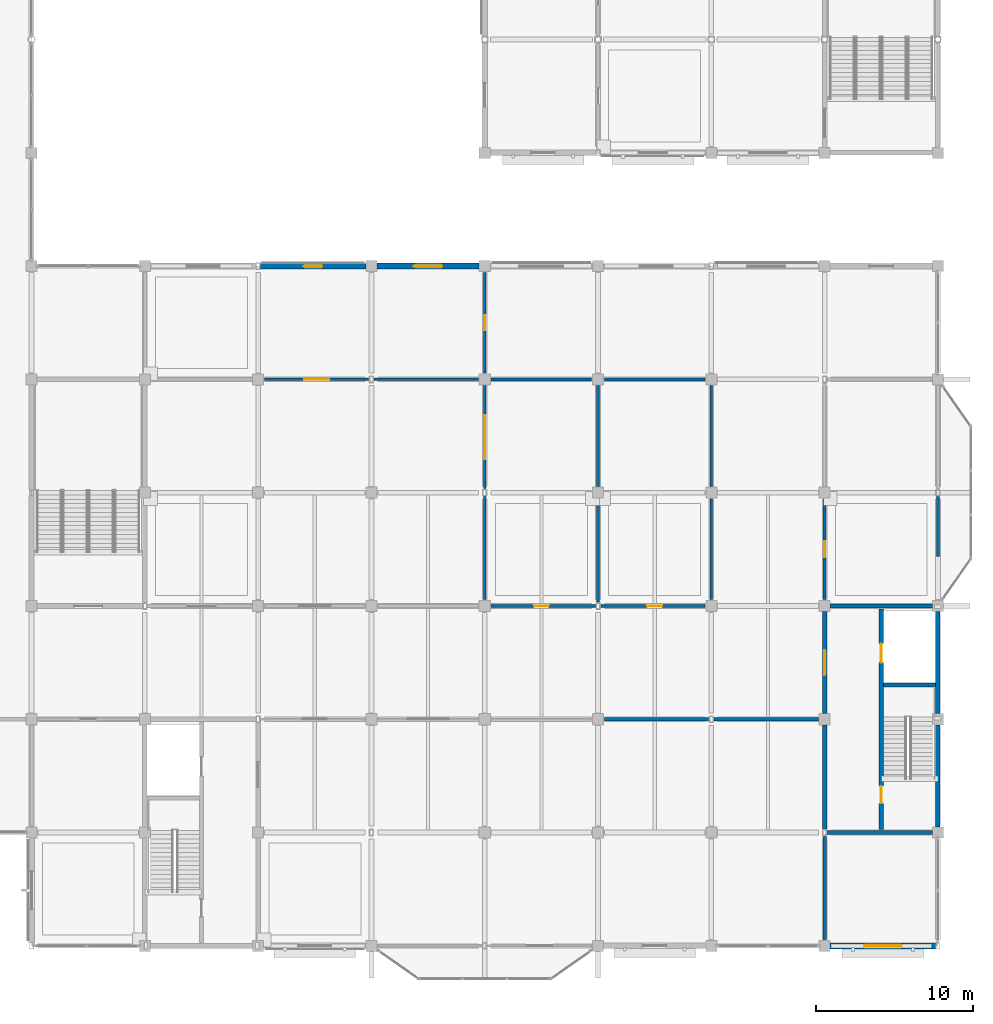
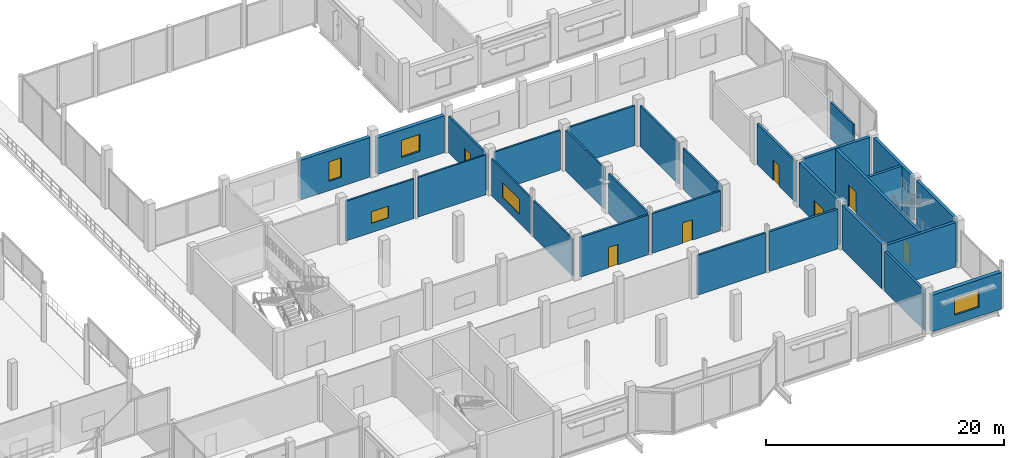
# One storey, part 96 of 120: 29 walls, 7 doors, 5 windows, 12 openings.
"""IFC4 building model written with IfcOpenShell, lengths in metres."""

from ifc_helpers import new_model, si_unit, direction, frame, frame_2d, origin, place, context, subcontext, project, spatial, rectangle, extrude, material, layer, layer_set, type_object, element, fill, save


model = new_model("IFC4")

# Units and contexts
model_context = context("Model", 3, precision=1e-05, world=origin(), true_north=direction((0.0, 1.0)))
body_context = subcontext(model_context, "Body", "Model", "MODEL_VIEW")
ifc_project = project(units=[si_unit("LENGTHUNIT", "METRE"), si_unit("AREAUNIT", "SQUARE_METRE"), si_unit("VOLUMEUNIT", "CUBIC_METRE"), si_unit("PLANEANGLEUNIT", "RADIAN"), si_unit("MASSUNIT", "GRAM", prefix="KILO")], contexts=[model_context])

# Site, building, storey
site_placement = place(None, origin())
site = spatial("IfcSite", under=ifc_project, at=site_placement, CompositionType="ELEMENT")
building_placement = place(site_placement, origin())
building = spatial("IfcBuilding", under=site, at=building_placement, Name="Vesperath Aquatics Centre", CompositionType="ELEMENT")
storey_placement = place(building_placement, frame((0.0, 0.0, 10.199951171875)))
storey = spatial("IfcBuildingStorey", under=building, at=storey_placement, Name="L02", CompositionType="ELEMENT", Elevation=10.199951171875)

# Wall, opening, window
ifc_material_1 = material(Name="Red-terracotta brick insulated cavity wall", Category="masonry")
ifc_layer_1 = layer(ifc_material_1, 0.3798828125)
ifc_layer_set_1 = layer_set([ifc_layer_1], Name="Red-terracotta brick insulated cavity wall")
wall_type_1 = type_object("IfcWallType", Name="WL-EW02", PredefinedType="SOLIDWALL", material=ifc_layer_set_1)
wall_1_placement = place(storey_placement, frame((165.949951171875, 0.0, 0.0), z_axis=(0.0, 0.0, 1.0), x_axis=(1.0, 0.0, 0.0)))
wall_1 = element("IfcWall", 1, at=wall_1_placement, inside=storey, type_object=wall_type_1, Name="Exterior Wall EW02 L02_S_23_00", PredefinedType="SOLIDWALL", context=body_context, shape_type="SweptSolid", body=[
    extrude(rectangle(XDim=6.72509765625, YDim=0.3798828125, at=frame_2d((3.362548828125, 0.0))), origin(), (0.0, 0.0, 1.0), 3.760009765625),
])
opening_1_placement = place(wall_1_placement, frame((2.1630859375, 0.0, 0.949951171875)))
opening_1 = element("IfcOpeningElement", 2, at=opening_1_placement, cuts=wall_1, Name="Opening W10", PredefinedType="OPENING", context=body_context, shape_type="SweptSolid", body=[
    extrude(rectangle(XDim=2.39990234375, YDim=1.75, at=frame_2d((1.199951171875, 0.875))), frame((0.0, 0.204833984375, 0.0), z_axis=(0.0, -1.0, 0.0), x_axis=(1.0, 0.0, 0.0)), (0.0, 0.0, 1.0), 0.40966796875),
])
ifc_material_2 = material(Name="Thermally broken aluminium triple-glazed window", Category="aluminium")
window_type_1 = type_object("IfcWindowType", Name="WN-W10", PartitioningType="SINGLE_PANEL", PredefinedType="WINDOW", material=ifc_material_2)
window_1_placement = place(opening_1_placement, origin())
window_1 = element("IfcWindow", 3, at=window_1_placement, inside=storey, type_object=window_type_1, Name="Deep-Reveal Casement Window W10 L02_S_23_00", OverallHeight=1.75, OverallWidth=2.39990234375, PartitioningType="SINGLE_PANEL", PredefinedType="WINDOW", context=body_context, shape_type="SweptSolid", body=[
    extrude(rectangle(XDim=2.39990234375, YDim=1.75, at=frame_2d((1.199951171875, 0.875))), frame((0.0, 0.030029296875, 0.0), z_axis=(0.0, -1.0, 0.0), x_axis=(1.0, 0.0, 0.0)), (0.0, 0.0, 1.0), 0.06005859375),
])
fill(opening_1, window_1)

wall_2_placement = place(storey_placement, frame((137.14990234375, 43.199951171875, 0.0), z_axis=(0.0, 0.0, 1.0), x_axis=(1.0, 0.0, 0.0)))
wall_2 = element("IfcWall", 4, at=wall_2_placement, inside=storey, type_object=wall_type_1, Name="Exterior Wall EW02 L02_N_19_06", PredefinedType="SOLIDWALL", context=body_context, shape_type="SweptSolid", body=[
    extrude(rectangle(XDim=6.5, YDim=0.3798828125, at=frame_2d((3.25, 0.0))), origin(), (0.0, 0.0, 1.0), 3.760009765625),
])
opening_2_placement = place(wall_2_placement, frame((2.35009765625, 0.0, 0.949951171875)))
opening_2 = element("IfcOpeningElement", 5, at=opening_2_placement, cuts=wall_2, Name="Opening W12", PredefinedType="OPENING", context=body_context, shape_type="SweptSolid", body=[
    extrude(rectangle(XDim=1.800048828125, YDim=1.75, at=frame_2d((0.89990234375, 0.875))), frame((0.0, 0.204833984375, 0.0), z_axis=(0.0, -1.0, 0.0), x_axis=(1.0, 0.0, 0.0)), (0.0, 0.0, 1.0), 0.40966796875),
])
window_type_2 = type_object("IfcWindowType", Name="WN-W12", PartitioningType="SINGLE_PANEL", PredefinedType="WINDOW", material=ifc_material_2)
window_2_placement = place(opening_2_placement, origin())
window_2 = element("IfcWindow", 6, at=window_2_placement, inside=storey, type_object=window_type_2, Name="Deep-Reveal Casement Window W12 L02_N_19_06", OverallHeight=1.75, OverallWidth=1.800048828125, PartitioningType="SINGLE_PANEL", PredefinedType="WINDOW", context=body_context, shape_type="SweptSolid", body=[
    extrude(rectangle(XDim=1.800048828125, YDim=1.75, at=frame_2d((0.89990234375, 0.875))), frame((0.0, 0.030029296875, 0.0), z_axis=(0.0, -1.0, 0.0), x_axis=(1.0, 0.0, 0.0)), (0.0, 0.0, 1.0), 0.06005859375),
])
fill(opening_2, window_2)

ifc_material_3 = material(Name="Glazed majolica and brick insulated cavity wall", Category="masonry")
ifc_layer_2 = layer(ifc_material_3, 0.360107421875)
ifc_layer_set_2 = layer_set([ifc_layer_2], Name="Glazed majolica and brick insulated cavity wall")
wall_type_2 = type_object("IfcWallType", Name="WL-EW03", PredefinedType="SOLIDWALL", material=ifc_layer_set_2)
wall_3_placement = place(storey_placement, frame((129.72509765625, 43.199951171875, 0.0), z_axis=(0.0, 0.0, 1.0), x_axis=(1.0, 0.0, 0.0)))
wall_3 = element("IfcWall", 7, at=wall_3_placement, inside=storey, type_object=wall_type_2, Name="Exterior Wall EW03 L02_N_18_06", PredefinedType="SOLIDWALL", context=body_context, shape_type="SweptSolid", body=[
    extrude(rectangle(XDim=6.724853515625, YDim=0.360107421875, at=frame_2d((3.3623046875, 0.0))), origin(), (0.0, 0.0, 1.0), 4.072021484375),
])
opening_3_placement = place(wall_3_placement, frame((2.761962890625, 0.0, 0.949951171875)))
opening_3 = element("IfcOpeningElement", 8, at=opening_3_placement, cuts=wall_3, Name="Opening W09", PredefinedType="OPENING", context=body_context, shape_type="SweptSolid", body=[
    extrude(rectangle(XDim=1.199951171875, YDim=2.0, at=frame_2d((0.60009765625, 1.0))), frame((0.0, 0.19482421875, 0.0), z_axis=(0.0, -1.0, 0.0), x_axis=(1.0, 0.0, 0.0)), (0.0, 0.0, 1.0), 0.389892578125),
])
window_type_3 = type_object("IfcWindowType", Name="WN-W09", PartitioningType="SINGLE_PANEL", PredefinedType="WINDOW", material=ifc_material_2)
window_3_placement = place(opening_3_placement, origin())
window_3 = element("IfcWindow", 9, at=window_3_placement, inside=storey, type_object=window_type_3, Name="Deep-Reveal Casement Window W09 L02_N_18_06", OverallHeight=2.0, OverallWidth=1.199951171875, PartitioningType="SINGLE_PANEL", PredefinedType="WINDOW", context=body_context, shape_type="SweptSolid", body=[
    extrude(rectangle(XDim=1.199951171875, YDim=2.0, at=frame_2d((0.60009765625, 1.0))), frame((0.0, 0.030029296875, 0.0), z_axis=(0.0, -1.0, 0.0), x_axis=(1.0, 0.0, 0.0)), (0.0, 0.0, 1.0), 0.06005859375),
])
fill(opening_3, window_3)

# Walls
ifc_material_4 = material(Name="Autoclaved aerated masonry blockwork", Category="masonry")
ifc_layer_3 = layer(ifc_material_4, 0.22998046875)
ifc_layer_set_3 = layer_set([ifc_layer_3], Name="Autoclaved aerated masonry blockwork")
wall_type_3 = type_object("IfcWallType", Name="WL-FW01", PredefinedType="SOLIDWALL", material=ifc_layer_set_3)
wall_4_placement = place(storey_placement, frame((158.574951171875, 14.39990234375, 0.0), z_axis=(0.0, 0.0, 1.0), x_axis=(1.0, 0.0, 0.0)))
element("IfcWall", 10, at=wall_4_placement, inside=storey, type_object=wall_type_3, Name="Interior Partition FW01 L02_WEIGHTS-N5", PredefinedType="SOLIDWALL", context=body_context, shape_type="SweptSolid", body=[
    extrude(rectangle(XDim=6.625, YDim=0.22998046875, at=frame_2d((3.3125, 0.0))), origin(), (0.0, 0.0, 1.0), 4.072021484375),
])
ifc_material_5 = material(Name="Masonry fire compartment wall", Category="masonry")
ifc_layer_4 = layer(ifc_material_5, 0.219970703125)
ifc_layer_set_4 = layer_set([ifc_layer_4], Name="Masonry fire compartment wall")
wall_type_4 = type_object("IfcWallType", Name="WL-FW02", PredefinedType="SOLIDWALL", material=ifc_layer_set_4)
wall_5_placement = place(storey_placement, frame((165.60009765625, 0.39990234375, 0.0), z_axis=(0.0, 0.0, 1.0), x_axis=(0.0, 1.0, 0.0)))
element("IfcWall", 11, at=wall_5_placement, inside=storey, type_object=wall_type_4, Name="Interior Partition FW02 L02_WEIGHTS-E1", PredefinedType="SOLIDWALL", context=body_context, shape_type="SweptSolid", body=[
    extrude(rectangle(XDim=6.550048828125, YDim=0.219970703125, at=frame_2d((3.27490234375, 0.0))), origin(), (0.0, 0.0, 1.0), 4.072021484375),
])

# Wall, opening, door
ifc_material_6 = material(Name="Wet-village masonry block wall", Category="masonry")
ifc_layer_5 = layer(ifc_material_6, 0.199951171875)
ifc_layer_set_5 = layer_set([ifc_layer_5], Name="Wet-village masonry block wall")
wall_type_5 = type_object("IfcWallType", Name="WL-FW03", PredefinedType="SOLIDWALL", material=ifc_layer_set_5)
wall_6_placement = place(storey_placement, frame((144.39990234375, 21.60009765625, 0.0), z_axis=(0.0, 0.0, 1.0), x_axis=(1.0, 0.0, 0.0)))
wall_6 = element("IfcWall", 12, at=wall_6_placement, inside=storey, type_object=wall_type_5, Name="Interior Partition FW03 L02_MWC-S1", PredefinedType="SOLIDWALL", context=body_context, shape_type="SweptSolid", body=[
    extrude(rectangle(XDim=6.625, YDim=0.199951171875, at=frame_2d((3.3125, 0.0))), origin(), (0.0, 0.0, 1.0), 4.072021484375),
])
opening_4_placement = place(wall_6_placement, frame((2.739990234375, 0.0, 0.0)))
opening_4 = element("IfcOpeningElement", 13, at=opening_4_placement, cuts=wall_6, Name="Opening D08", PredefinedType="OPENING", context=body_context, shape_type="SweptSolid", body=[
    extrude(rectangle(XDim=0.919921875, YDim=2.10009765625, at=frame_2d((0.4599609375, 1.050048828125))), frame((0.0, 0.11474609375, 0.0), z_axis=(0.0, -1.0, 0.0), x_axis=(1.0, 0.0, 0.0)), (0.0, 0.0, 1.0), 0.229736328125),
])
ifc_material_7 = material(Name="Moisture-resistant HPL washroom door", Category="wood")
door_type_1 = type_object("IfcDoorType", Name="DR-WC03", OperationType="NOTDEFINED", PredefinedType="DOOR", material=ifc_material_7)
door_1_placement = place(opening_4_placement, origin())
door_1 = element("IfcDoor", 14, at=door_1_placement, inside=storey, type_object=door_type_1, Name="Gymnasium Male WC and Showers L02 Door D08", OperationType="SINGLE_SWING_LEFT", OverallHeight=2.10009765625, OverallWidth=0.919921875, PredefinedType="DOOR", context=body_context, shape_type="SweptSolid", body=[
    extrude(rectangle(XDim=0.919921875, YDim=2.10009765625, at=frame_2d((0.4599609375, 1.050048828125))), frame((0.0, 0.02490234375, 0.0), z_axis=(0.0, -1.0, 0.0), x_axis=(1.0, 0.0, 0.0)), (0.0, 0.0, 1.0), 0.050048828125),
])
fill(opening_4, door_1)

wall_7_placement = place(storey_placement, frame((151.375, 21.60009765625, 0.0), z_axis=(0.0, 0.0, 1.0), x_axis=(1.0, 0.0, 0.0)))
wall_7 = element("IfcWall", 15, at=wall_7_placement, inside=storey, type_object=wall_type_5, Name="Interior Partition FW03 L02_FWC-S1", PredefinedType="SOLIDWALL", context=body_context, shape_type="SweptSolid", body=[
    extrude(rectangle(XDim=6.625, YDim=0.199951171875, at=frame_2d((3.3125, 0.0))), origin(), (0.0, 0.0, 1.0), 4.072021484375),
])
opening_5_placement = place(wall_7_placement, frame((2.949951171875, 0.0, 0.0)))
opening_5 = element("IfcOpeningElement", 16, at=opening_5_placement, cuts=wall_7, Name="Opening D07", PredefinedType="OPENING", context=body_context, shape_type="SweptSolid", body=[
    extrude(rectangle(XDim=0.949951171875, YDim=2.10009765625, at=frame_2d((0.47509765625, 1.050048828125))), frame((0.0, 0.11474609375, 0.0), z_axis=(0.0, -1.0, 0.0), x_axis=(1.0, 0.0, 0.0)), (0.0, 0.0, 1.0), 0.229736328125),
])
ifc_material_8 = material(Name="Moisture-resistant HPL sanitary door", Category="wood")
door_type_2 = type_object("IfcDoorType", Name="DR-WC02", OperationType="NOTDEFINED", PredefinedType="DOOR", material=ifc_material_8)
door_2_placement = place(opening_5_placement, origin())
door_2 = element("IfcDoor", 17, at=door_2_placement, inside=storey, type_object=door_type_2, Name="Gymnasium Female WC and Showers L02 Door D07", OperationType="SINGLE_SWING_RIGHT", OverallHeight=2.10009765625, OverallWidth=0.949951171875, PredefinedType="DOOR", context=body_context, shape_type="SweptSolid", body=[
    extrude(rectangle(XDim=0.949951171875, YDim=2.10009765625, at=frame_2d((0.47509765625, 1.050048828125))), frame((0.0, 0.02490234375, 0.0), z_axis=(0.0, -1.0, 0.0), x_axis=(1.0, 0.0, 0.0)), (0.0, 0.0, 1.0), 0.050048828125),
])
fill(opening_5, door_2)

wall_8_placement = place(storey_placement, frame((165.60009765625, 22.0, 0.0), z_axis=(0.0, 0.0, 1.0), x_axis=(0.0, 1.0, 0.0)))
wall_8 = element("IfcWall", 18, at=wall_8_placement, inside=storey, type_object=wall_type_5, Name="Interior Partition FW03 L02_AWC-W1", PredefinedType="SOLIDWALL", context=body_context, shape_type="SweptSolid", body=[
    extrude(rectangle(XDim=6.39990234375, YDim=0.199951171875, at=frame_2d((3.199951171875, 0.0))), origin(), (0.0, 0.0, 1.0), 4.170166015625),
])
opening_6_placement = place(wall_8_placement, frame((2.699951171875, 0.0, 0.0)))
opening_6 = element("IfcOpeningElement", 19, at=opening_6_placement, cuts=wall_8, Name="Opening D06", PredefinedType="OPENING", context=body_context, shape_type="SweptSolid", body=[
    extrude(rectangle(XDim=1.0, YDim=2.10009765625, at=frame_2d((0.5, 1.050048828125))), frame((0.0, 0.11474609375, 0.0), z_axis=(0.0, -1.0, 0.0), x_axis=(1.0, 0.0, 0.0)), (0.0, 0.0, 1.0), 0.229736328125),
])
ifc_material_9 = material(Name="Moisture-resistant HPL accessible toilet door", Category="wood")
door_type_3 = type_object("IfcDoorType", Name="DR-WC01", OperationType="NOTDEFINED", PredefinedType="DOOR", material=ifc_material_9)
door_3_placement = place(opening_6_placement, frame((1.0, 0.0, 0.0), z_axis=(0.0, 0.0, 1.0), x_axis=(-1.0, 0.0, 0.0)))
door_3 = element("IfcDoor", 20, at=door_3_placement, inside=storey, type_object=door_type_3, Name="Accessible WC L02 Door D06", OperationType="SINGLE_SWING_LEFT", OverallHeight=2.10009765625, OverallWidth=1.0, PredefinedType="DOOR", context=body_context, shape_type="SweptSolid", body=[
    extrude(rectangle(XDim=1.0, YDim=2.10009765625, at=frame_2d((0.5, 1.050048828125))), frame((0.0, 0.02490234375, 0.0), z_axis=(0.0, -1.0, 0.0), x_axis=(1.0, 0.0, 0.0)), (0.0, 0.0, 1.0), 0.050048828125),
])
fill(opening_6, door_3)

# Walls
ifc_material_10 = material(Name="Moisture-resistant tiled wet partition", Category="gypsum")
ifc_layer_6 = layer(ifc_material_10, 0.175048828125)
ifc_layer_set_6 = layer_set([ifc_layer_6], Name="Moisture-resistant tiled wet partition")
wall_type_6 = type_object("IfcWallType", Name="WL-IW02", PredefinedType="PARTITIONING", material=ifc_layer_set_6)
wall_9_placement = place(storey_placement, frame((144.39990234375, 36.0, 0.0), z_axis=(0.0, 0.0, 1.0), x_axis=(1.0, 0.0, 0.0)))
element("IfcWall", 21, at=wall_9_placement, inside=storey, type_object=wall_type_6, Name="Interior Partition IW02 L02_MWC-N1", PredefinedType="PARTITIONING", context=body_context, shape_type="SweptSolid", body=[
    extrude(rectangle(XDim=6.400146484375, YDim=0.175048828125, at=frame_2d((3.2001953125, 0.0))), origin(), (0.0, 0.0, 1.0), 4.072021484375),
])
wall_10_placement = place(storey_placement, frame((151.199951171875, 21.85009765625, 0.0), z_axis=(0.0, 0.0, 1.0), x_axis=(0.0, 1.0, 0.0)))
element("IfcWall", 22, at=wall_10_placement, inside=storey, type_object=wall_type_6, Name="Interior Partition IW02 L02_MWC-E1", PredefinedType="PARTITIONING", context=body_context, shape_type="SweptSolid", body=[
    extrude(rectangle(XDim=6.5498046875, YDim=0.175048828125, at=frame_2d((3.27490234375, 0.0))), origin(), (0.0, 0.0, 1.0), 4.072021484375),
])
wall_11_placement = place(storey_placement, frame((151.199951171875, 29.199951171875, 0.0), z_axis=(0.0, 0.0, 1.0), x_axis=(0.0, 1.0, 0.0)))
element("IfcWall", 23, at=wall_11_placement, inside=storey, type_object=wall_type_6, Name="Interior Partition IW02 L02_MWC-E2", PredefinedType="PARTITIONING", context=body_context, shape_type="SweptSolid", body=[
    extrude(rectangle(XDim=6.400146484375, YDim=0.175048828125, at=frame_2d((3.2001953125, 0.0))), origin(), (0.0, 0.0, 1.0), 4.170166015625),
])
wall_12_placement = place(storey_placement, frame((151.60009765625, 36.0, 0.0), z_axis=(0.0, 0.0, 1.0), x_axis=(1.0, 0.0, 0.0)))
element("IfcWall", 24, at=wall_12_placement, inside=storey, type_object=wall_type_6, Name="Interior Partition IW02 L02_FWC-N1", PredefinedType="PARTITIONING", context=body_context, shape_type="SweptSolid", body=[
    extrude(rectangle(XDim=6.39990234375, YDim=0.175048828125, at=frame_2d((3.199951171875, 0.0))), origin(), (0.0, 0.0, 1.0), 4.072021484375),
])
wall_13_placement = place(storey_placement, frame((158.39990234375, 22.0, 0.0), z_axis=(0.0, 0.0, 1.0), x_axis=(0.0, 1.0, 0.0)))
element("IfcWall", 25, at=wall_13_placement, inside=storey, type_object=wall_type_6, Name="Interior Partition IW02 L02_FWC-E1", PredefinedType="PARTITIONING", context=body_context, shape_type="SweptSolid", body=[
    extrude(rectangle(XDim=6.39990234375, YDim=0.175048828125, at=frame_2d((3.199951171875, 0.0))), origin(), (0.0, 0.0, 1.0), 4.170166015625),
])
wall_14_placement = place(storey_placement, frame((158.39990234375, 29.199951171875, 0.0), z_axis=(0.0, 0.0, 1.0), x_axis=(0.0, 1.0, 0.0)))
element("IfcWall", 26, at=wall_14_placement, inside=storey, type_object=wall_type_6, Name="Interior Partition IW02 L02_FWC-E2", PredefinedType="PARTITIONING", context=body_context, shape_type="SweptSolid", body=[
    extrude(rectangle(XDim=6.400146484375, YDim=0.175048828125, at=frame_2d((3.2001953125, 0.0))), origin(), (0.0, 0.0, 1.0), 4.170166015625),
])
wall_15_placement = place(storey_placement, frame((172.800048828125, 24.75, 0.0), z_axis=(0.0, 0.0, 1.0), x_axis=(0.0, 1.0, 0.0)))
element("IfcWall", 27, at=wall_15_placement, inside=storey, type_object=wall_type_6, Name="Interior Partition IW02 L02_AWC-E1", PredefinedType="PARTITIONING", context=body_context, shape_type="SweptSolid", body=[
    extrude(rectangle(XDim=3.800048828125, YDim=0.175048828125, at=frame_2d((1.89990234375, 0.0))), origin(), (0.0, 0.0, 1.0), 3.760009765625),
])

# Wall, opening, window
ifc_material_11 = material(Name="Corridor fire-rated gypsum partition", Category="gypsum")
ifc_layer_7 = layer(ifc_material_11, 0.16796875)
ifc_layer_set_7 = layer_set([ifc_layer_7], Name="Corridor fire-rated gypsum partition")
wall_type_7 = type_object("IfcWallType", Name="WL-IW03", PredefinedType="PARTITIONING", material=ifc_layer_set_7)
wall_16_placement = place(storey_placement, frame((130.0, 36.0, 0.0), z_axis=(0.0, 0.0, 1.0), x_axis=(1.0, 0.0, 0.0)))
wall_16 = element("IfcWall", 28, at=wall_16_placement, inside=storey, type_object=wall_type_7, Name="Interior Partition IW03 L02_FUNC_TR-N2", PredefinedType="PARTITIONING", context=body_context, shape_type="SweptSolid", body=[
    extrude(rectangle(XDim=6.625, YDim=0.16796875, at=frame_2d((3.3125, 0.0))), origin(), (0.0, 0.0, 1.0), 4.072021484375),
])
opening_7_placement = place(wall_16_placement, frame((2.512939453125, 0.0, 0.949951171875)))
opening_7 = element("IfcOpeningElement", 29, at=opening_7_placement, cuts=wall_16, Name="Opening VW12", PredefinedType="OPENING", context=body_context, shape_type="SweptSolid", body=[
    extrude(rectangle(XDim=1.60009765625, YDim=1.199951171875, at=frame_2d((0.800048828125, 0.60009765625))), frame((0.0, 0.098876953125, 0.0), z_axis=(0.0, -1.0, 0.0), x_axis=(1.0, 0.0, 0.0)), (0.0, 0.0, 1.0), 0.19775390625),
])
ifc_material_12 = material(Name="Acoustic laminated interior viewing glazing", Category="glass")
window_type_4 = type_object("IfcWindowType", Name="WN-IW12", PartitioningType="SINGLE_PANEL", PredefinedType="WINDOW", material=ifc_material_12)
window_4_placement = place(opening_7_placement, origin())
window_4 = element("IfcWindow", 30, at=window_4_placement, inside=storey, type_object=window_type_4, Name="Interior Viewing Window VW12 L02_FUNC_TR", OverallHeight=1.199951171875, OverallWidth=1.60009765625, PartitioningType="SINGLE_PANEL", PredefinedType="WINDOW", context=body_context, shape_type="SweptSolid", body=[
    extrude(rectangle(XDim=1.60009765625, YDim=1.199951171875, at=frame_2d((0.800048828125, 0.60009765625))), frame((0.0, 0.030029296875, 0.0), z_axis=(0.0, -1.0, 0.0), x_axis=(1.0, 0.0, 0.0)), (0.0, 0.0, 1.0), 0.06005859375),
])
fill(opening_7, window_4)

# Wall, opening, door
wall_17_placement = place(storey_placement, frame((144.0, 36.39990234375, 0.0), z_axis=(0.0, 0.0, 1.0), x_axis=(0.0, 1.0, 0.0)))
wall_17 = element("IfcWall", 31, at=wall_17_placement, inside=storey, type_object=wall_type_7, Name="Interior Partition IW03 L02_SPIN-E1", PredefinedType="PARTITIONING", context=body_context, shape_type="SweptSolid", body=[
    extrude(rectangle(XDim=6.400146484375, YDim=0.16796875, at=frame_2d((3.2001953125, 0.0))), origin(), (0.0, 0.0, 1.0), 3.760009765625),
])
opening_8_placement = place(wall_17_placement, frame((2.72509765625, 0.0, 0.0)))
opening_8 = element("IfcOpeningElement", 32, at=opening_8_placement, cuts=wall_17, Name="Opening D07", PredefinedType="OPENING", context=body_context, shape_type="SweptSolid", body=[
    extrude(rectangle(XDim=0.949951171875, YDim=2.10009765625, at=frame_2d((0.47509765625, 1.050048828125))), frame((0.0, 0.098876953125, 0.0), z_axis=(0.0, -1.0, 0.0), x_axis=(1.0, 0.0, 0.0)), (0.0, 0.0, 1.0), 0.19775390625),
])
door_4_placement = place(opening_8_placement, origin())
door_4 = element("IfcDoor", 33, at=door_4_placement, inside=storey, type_object=door_type_2, Name="Indoor Cycling Studio Door D07", OperationType="SINGLE_SWING_RIGHT", OverallHeight=2.10009765625, OverallWidth=0.949951171875, PredefinedType="DOOR", context=body_context, shape_type="SweptSolid", body=[
    extrude(rectangle(XDim=0.949951171875, YDim=2.10009765625, at=frame_2d((0.47509765625, 1.050048828125))), frame((0.0, 0.02490234375, 0.0), z_axis=(0.0, -1.0, 0.0), x_axis=(1.0, 0.0, 0.0)), (0.0, 0.0, 1.0), 0.050048828125),
])
fill(opening_8, door_4)

# Walls
ifc_material_13 = material(Name="Clinic acoustic partition", Category="gypsum")
ifc_layer_8 = layer(ifc_material_13, 0.159912109375)
ifc_layer_set_8 = layer_set([ifc_layer_8], Name="Clinic acoustic partition")
wall_type_8 = type_object("IfcWallType", Name="WL-IW04", PredefinedType="PARTITIONING", material=ifc_layer_set_8)
wall_18_placement = place(storey_placement, frame((136.97509765625, 36.0, 0.0), z_axis=(0.0, 0.0, 1.0), x_axis=(1.0, 0.0, 0.0)))
element("IfcWall", 34, at=wall_18_placement, inside=storey, type_object=wall_type_8, Name="Interior Partition IW04 L02_FUNC_TR-N3", PredefinedType="PARTITIONING", context=body_context, shape_type="SweptSolid", body=[
    extrude(rectangle(XDim=6.625, YDim=0.159912109375, at=frame_2d((3.3125, 0.0))), origin(), (0.0, 0.0, 1.0), 4.072021484375),
])
ifc_material_14 = material(Name="Laboratory clean partition", Category="gypsum")
ifc_layer_9 = layer(ifc_material_14, 0.152099609375)
ifc_layer_set_9 = layer_set([ifc_layer_9], Name="Laboratory clean partition")
wall_type_9 = type_object("IfcWallType", Name="WL-IW05", PredefinedType="PARTITIONING", material=ifc_layer_set_9)
wall_19_placement = place(storey_placement, frame((144.0, 22.0, 0.0), z_axis=(0.0, 0.0, 1.0), x_axis=(0.0, 1.0, 0.0)))
element("IfcWall", 35, at=wall_19_placement, inside=storey, type_object=wall_type_9, Name="Interior Partition IW05 L02_FUNC_TR-E1", PredefinedType="PARTITIONING", context=body_context, shape_type="SweptSolid", body=[
    extrude(rectangle(XDim=6.550048828125, YDim=0.152099609375, at=frame_2d((3.27490234375, 0.0))), origin(), (0.0, 0.0, 1.0), 3.760009765625),
])

# Wall, opening, window
ifc_material_15 = material(Name="Classroom acoustic partition", Category="gypsum")
ifc_layer_10 = layer(ifc_material_15, 0.14501953125)
ifc_layer_set_10 = layer_set([ifc_layer_10], Name="Classroom acoustic partition")
wall_type_10 = type_object("IfcWallType", Name="WL-IW06", PredefinedType="PARTITIONING", material=ifc_layer_set_10)
wall_20_placement = place(storey_placement, frame((144.0, 29.050048828125, 0.0), z_axis=(0.0, 0.0, 1.0), x_axis=(0.0, 1.0, 0.0)))
wall_20 = element("IfcWall", 36, at=wall_20_placement, inside=storey, type_object=wall_type_10, Name="Interior Partition IW06 L02_FUNC_TR-E2", PredefinedType="PARTITIONING", context=body_context, shape_type="SweptSolid", body=[
    extrude(rectangle(XDim=6.550048828125, YDim=0.14501953125, at=frame_2d((3.27490234375, 0.0))), origin(), (0.0, 0.0, 1.0), 3.760009765625),
])
opening_9_placement = place(wall_20_placement, frame((1.875, 0.0, 0.949951171875)))
opening_9 = element("IfcOpeningElement", 37, at=opening_9_placement, cuts=wall_20, Name="Opening VW01", PredefinedType="OPENING", context=body_context, shape_type="SweptSolid", body=[
    extrude(rectangle(XDim=2.800048828125, YDim=1.5, at=frame_2d((1.39990234375, 0.75))), frame((0.0, 0.08740234375, 0.0), z_axis=(0.0, -1.0, 0.0), x_axis=(1.0, 0.0, 0.0)), (0.0, 0.0, 1.0), 0.1748046875),
])
window_type_5 = type_object("IfcWindowType", Name="WN-IW01", PartitioningType="SINGLE_PANEL", PredefinedType="WINDOW", material=ifc_material_12)
window_5_placement = place(opening_9_placement, origin())
window_5 = element("IfcWindow", 38, at=window_5_placement, inside=storey, type_object=window_type_5, Name="Interior Viewing Window VW01 L02_FUNC_TR", OverallHeight=1.5, OverallWidth=2.800048828125, PartitioningType="SINGLE_PANEL", PredefinedType="WINDOW", context=body_context, shape_type="SweptSolid", body=[
    extrude(rectangle(XDim=2.800048828125, YDim=1.5, at=frame_2d((1.39990234375, 0.75))), frame((0.0, 0.030029296875, 0.0), z_axis=(0.0, -1.0, 0.0), x_axis=(1.0, 0.0, 0.0)), (0.0, 0.0, 1.0), 0.06005859375),
])
fill(opening_9, window_5)

# Walls
ifc_material_16 = material(Name="Shaft enclosure fire partition", Category="gypsum")
ifc_layer_11 = layer(ifc_material_16, 0.195068359375)
ifc_layer_set_11 = layer_set([ifc_layer_11], Name="Shaft enclosure fire partition")
wall_type_11 = type_object("IfcWallType", Name="WL-IW14", PredefinedType="PARTITIONING", material=ifc_layer_set_11)
wall_21_placement = place(storey_placement, frame((151.60009765625, 14.39990234375, 0.0), z_axis=(0.0, 0.0, 1.0), x_axis=(1.0, 0.0, 0.0)))
element("IfcWall", 39, at=wall_21_placement, inside=storey, type_object=wall_type_11, Name="Interior Partition IW14 L02_WEIGHTS-N4", PredefinedType="PARTITIONING", context=body_context, shape_type="SweptSolid", body=[
    extrude(rectangle(XDim=6.625, YDim=0.195068359375, at=frame_2d((3.3125, 0.0))), origin(), (0.0, 0.0, 1.0), 4.072021484375),
])
ifc_material_17 = material(Name="Concrete C40", Category="concrete")
ifc_layer_12 = layer(ifc_material_17, 0.280029296875)
ifc_layer_set_12 = layer_set([ifc_layer_12], Name="Concrete C40")
wall_type_12 = type_object("IfcWallType", Name="WL-SW02", PredefinedType="SHEAR", material=ifc_layer_set_12)
wall_22_placement = place(storey_placement, frame((165.72509765625, 7.199951171875, 0.0), z_axis=(0.0, 0.0, 1.0), x_axis=(1.0, 0.0, 0.0)))
element("IfcWall", 40, at=wall_22_placement, inside=storey, type_object=wall_type_12, Name="Core C6 South Shear Wall SW02 L02", PredefinedType="SHEAR", context=body_context, shape_type="SweptSolid", body=[
    extrude(rectangle(XDim=6.724853515625, YDim=0.280029296875, at=frame_2d((3.3623046875, 0.0))), origin(), (0.0, 0.0, 1.0), 4.56005859375),
])
wall_23_placement = place(storey_placement, frame((165.949951171875, 21.60009765625, 0.0), z_axis=(0.0, 0.0, 1.0), x_axis=(1.0, 0.0, 0.0)))
element("IfcWall", 41, at=wall_23_placement, inside=storey, type_object=wall_type_12, Name="Core C6 North Shear Wall SW02 L02", PredefinedType="SHEAR", context=body_context, shape_type="SweptSolid", body=[
    extrude(rectangle(XDim=6.5, YDim=0.280029296875, at=frame_2d((3.25, 0.0))), origin(), (0.0, 0.0, 1.0), 4.56005859375),
])
wall_24_placement = place(storey_placement, frame((165.60009765625, 7.39990234375, 0.0), z_axis=(0.0, 0.0, 1.0), x_axis=(0.0, 1.0, 0.0)))
element("IfcWall", 42, at=wall_24_placement, inside=storey, type_object=wall_type_12, Name="Core C6 West-1 Shear Wall SW02 L02", PredefinedType="SHEAR", context=body_context, shape_type="SweptSolid", body=[
    extrude(rectangle(XDim=6.650146484375, YDim=0.280029296875, at=frame_2d((3.3251953125, 0.0))), origin(), (0.0, 0.0, 1.0), 4.56005859375),
])

# Wall, opening, door
wall_25_placement = place(storey_placement, frame((165.60009765625, 14.75, 0.0), z_axis=(0.0, 0.0, 1.0), x_axis=(0.0, 1.0, 0.0)))
wall_25 = element("IfcWall", 43, at=wall_25_placement, inside=storey, type_object=wall_type_12, Name="Core C6 West-2 Shear Wall SW02 L02", PredefinedType="SHEAR", context=body_context, shape_type="SweptSolid", body=[
    extrude(rectangle(XDim=6.5, YDim=0.280029296875, at=frame_2d((3.25, 0.0))), origin(), (0.0, 0.0, 1.0), 4.56005859375),
])
opening_10_placement = place(wall_25_placement, frame((2.449951171875, 0.0, 0.0)))
opening_10 = element("IfcOpeningElement", 44, at=opening_10_placement, cuts=wall_25, Name="Opening D02", PredefinedType="OPENING", context=body_context, shape_type="SweptSolid", body=[
    extrude(rectangle(XDim=1.60009765625, YDim=2.199951171875, at=frame_2d((0.800048828125, 1.10009765625))), frame((0.0, 0.15478515625, 0.0), z_axis=(0.0, -1.0, 0.0), x_axis=(1.0, 0.0, 0.0)), (0.0, 0.0, 1.0), 0.309814453125),
])
ifc_material_18 = material(Name="Glazed fire-rated lobby double door", Category="steel")
door_type_4 = type_object("IfcDoorType", Name="DR-FD02", OperationType="DOUBLE_SWING_LEFT", PredefinedType="DOOR", material=ifc_material_18)
door_5_placement = place(opening_10_placement, origin())
door_5 = element("IfcDoor", 45, at=door_5_placement, inside=storey, type_object=door_type_4, Name="Core C6 Lobby Fire Door D02 L02", OperationType="DOUBLE_SWING_LEFT", OverallHeight=2.199951171875, OverallWidth=1.60009765625, PredefinedType="DOOR", context=body_context, shape_type="SweptSolid", body=[
    extrude(rectangle(XDim=1.60009765625, YDim=2.199951171875, at=frame_2d((0.800048828125, 1.10009765625))), frame((0.0, 0.02490234375, 0.0), z_axis=(0.0, -1.0, 0.0), x_axis=(1.0, 0.0, 0.0)), (0.0, 0.0, 1.0), 0.050048828125),
])
fill(opening_10, door_5)

# Wall, openings, doors
ifc_layer_13 = layer(ifc_material_17, 0.260009765625)
ifc_layer_set_13 = layer_set([ifc_layer_13], Name="Concrete C40")
wall_type_13 = type_object("IfcWallType", Name="WL-SW03", PredefinedType="SHEAR", material=ifc_layer_set_13)
wall_26_placement = place(storey_placement, frame((169.199951171875, 7.39990234375, 0.0), z_axis=(0.0, 0.0, 1.0), x_axis=(0.0, 1.0, 0.0)))
wall_26 = element("IfcWall", 46, at=wall_26_placement, inside=storey, type_object=wall_type_13, Name="Core C6 Spine Shear Wall SW03 L02", PredefinedType="SHEAR", context=body_context, shape_type="SweptSolid", body=[
    extrude(rectangle(XDim=14.0, YDim=0.260009765625, at=frame_2d((7.0, 0.0))), origin(), (0.0, 0.0, 1.0), 4.56005859375),
])
opening_11_placement = place(wall_26_placement, frame((1.64990234375, 0.0, 0.0)))
opening_11 = element("IfcOpeningElement", 47, at=opening_11_placement, cuts=wall_26, Name="Opening D01", PredefinedType="OPENING", context=body_context, shape_type="SweptSolid", body=[
    extrude(rectangle(XDim=1.10009765625, YDim=2.14990234375, at=frame_2d((0.550048828125, 1.074951171875))), frame((0.0, 0.14501953125, 0.0), z_axis=(0.0, -1.0, 0.0), x_axis=(1.0, 0.0, 0.0)), (0.0, 0.0, 1.0), 0.289794921875),
])
opening_12_placement = place(wall_26_placement, frame((10.60009765625, 0.0, 0.0)))
opening_12 = element("IfcOpeningElement", 48, at=opening_12_placement, cuts=wall_26, Name="Opening LD03", PredefinedType="OPENING", context=body_context, shape_type="SweptSolid", body=[
    extrude(rectangle(XDim=1.199951171875, YDim=2.25, at=frame_2d((0.60009765625, 1.125))), frame((0.0, 0.14501953125, 0.0), z_axis=(0.0, -1.0, 0.0), x_axis=(1.0, 0.0, 0.0)), (0.0, 0.0, 1.0), 0.289794921875),
])
ifc_material_19 = material(Name="Steel-faced acoustic fire door", Category="steel")
door_type_5 = type_object("IfcDoorType", Name="DR-FD01", OperationType="NOTDEFINED", PredefinedType="DOOR", material=ifc_material_19)
door_6_placement = place(opening_11_placement, frame((1.10009765625, 0.0, 0.0), z_axis=(0.0, 0.0, 1.0), x_axis=(-1.0, 0.0, 0.0)))
door_6 = element("IfcDoor", 49, at=door_6_placement, inside=storey, type_object=door_type_5, Name="Stair ST6 Fire Door D01 L02", OperationType="SINGLE_SWING_RIGHT", OverallHeight=2.14990234375, OverallWidth=1.10009765625, PredefinedType="DOOR", context=body_context, shape_type="SweptSolid", body=[
    extrude(rectangle(XDim=1.10009765625, YDim=2.14990234375, at=frame_2d((0.550048828125, 1.074951171875))), frame((0.0, 0.02490234375, 0.0), z_axis=(0.0, -1.0, 0.0), x_axis=(1.0, 0.0, 0.0)), (0.0, 0.0, 1.0), 0.050048828125),
])
fill(opening_11, door_6)
ifc_material_20 = material(Name="Firefighting stainless lift landing door", Category="steel")
door_type_6 = type_object("IfcDoorType", Name="DR-LD03", OperationType="SLIDING_TO_LEFT", PredefinedType="DOOR", material=ifc_material_20)
door_7_placement = place(opening_12_placement, origin())
door_7 = element("IfcDoor", 50, at=door_7_placement, inside=storey, type_object=door_type_6, Name="Lift LFT-FF2 Sliding Landing Door LD03 L02", OperationType="SLIDING_TO_LEFT", OverallHeight=2.25, OverallWidth=1.199951171875, PredefinedType="DOOR", context=body_context, shape_type="SweptSolid", body=[
    extrude(rectangle(XDim=1.199951171875, YDim=2.25, at=frame_2d((0.60009765625, 1.125))), frame((0.0, 0.02490234375, 0.0), z_axis=(0.0, -1.0, 0.0), x_axis=(1.0, 0.0, 0.0)), (0.0, 0.0, 1.0), 0.050048828125),
])
fill(opening_12, door_7)

# Walls
ifc_layer_14 = layer(ifc_material_17, 0.25)
ifc_layer_set_14 = layer_set([ifc_layer_14], Name="Concrete C40")
wall_type_14 = type_object("IfcWallType", Name="WL-SW04", PredefinedType="SHEAR", material=ifc_layer_set_14)
wall_27_placement = place(storey_placement, frame((169.340087890625, 16.580078125, 0.0), z_axis=(0.0, 0.0, 1.0), x_axis=(1.0, 0.0, 0.0)))
element("IfcWall", 51, at=wall_27_placement, inside=storey, type_object=wall_type_14, Name="Core C6 Lift Shaft Wall SW04 L02", PredefinedType="SHEAR", context=body_context, shape_type="SweptSolid", body=[
    extrude(rectangle(XDim=3.2998046875, YDim=0.25, at=frame_2d((1.64990234375, 0.0))), origin(), (0.0, 0.0, 1.0), 4.56005859375),
])
ifc_layer_15 = layer(ifc_material_17, 0.2900390625)
ifc_layer_set_15 = layer_set([ifc_layer_15], Name="Concrete C40")
wall_type_15 = type_object("IfcWallType", Name="WL-SW06", PredefinedType="SHEAR", material=ifc_layer_set_15)
for number, where, z_axis, x_axis, name in (
    (52, (172.800048828125, 7.550048828125, 0.0), (0.0, 0.0, 1.0), (0.0, 1.0, 0.0), "Core C6 East-1 Shear Wall SW06 L02"),
    (53, (172.800048828125, 14.75, 0.0), (0.0, 0.0, 1.0), (0.0, 1.0, 0.0), "Core C6 East-2 Shear Wall SW06 L02"),
):
    element("IfcWall", number, at=place(storey_placement, frame(where, z_axis=z_axis, x_axis=x_axis)), inside=storey, type_object=wall_type_15, Name=name, PredefinedType="SHEAR", context=body_context, shape_type="SweptSolid", body=[
        extrude(rectangle(XDim=6.5, YDim=0.2900390625, at=frame_2d((3.25, 0.0))), origin(), (0.0, 0.0, 1.0), 4.56005859375),
    ])

save(model, "model.ifc")
